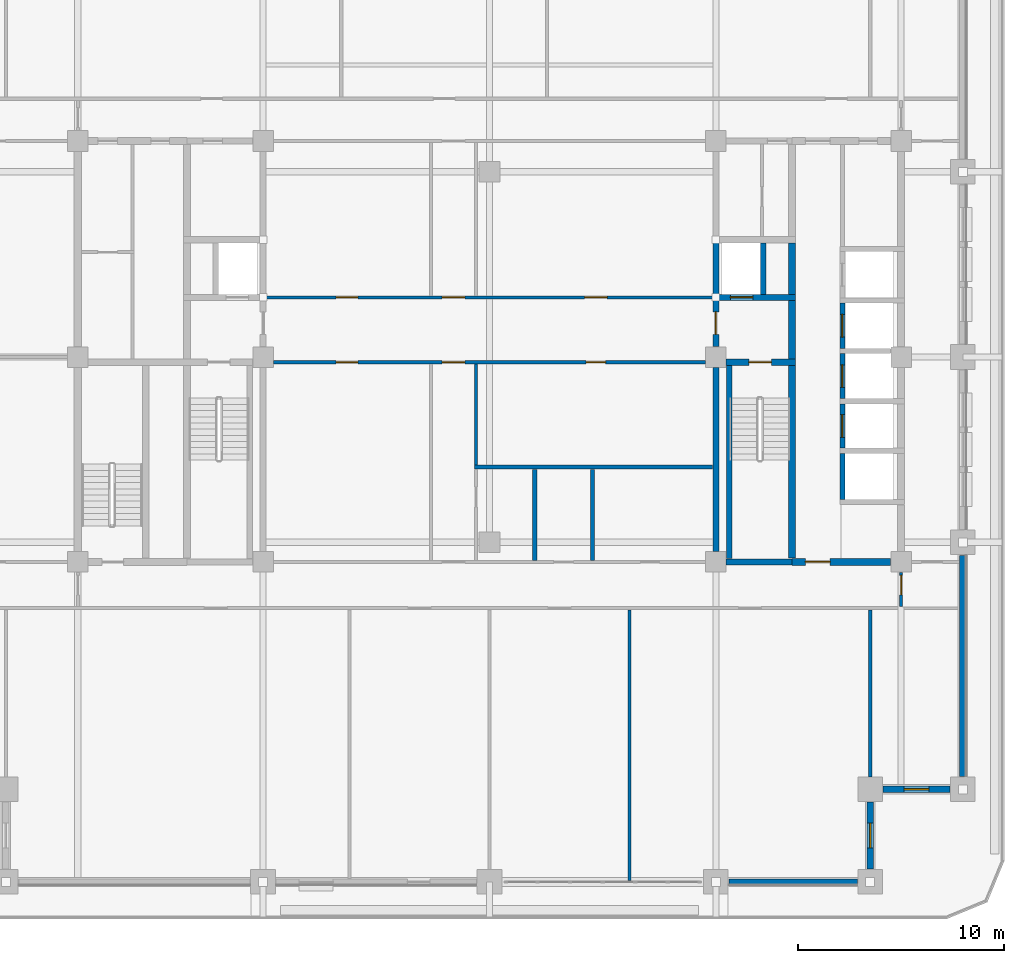
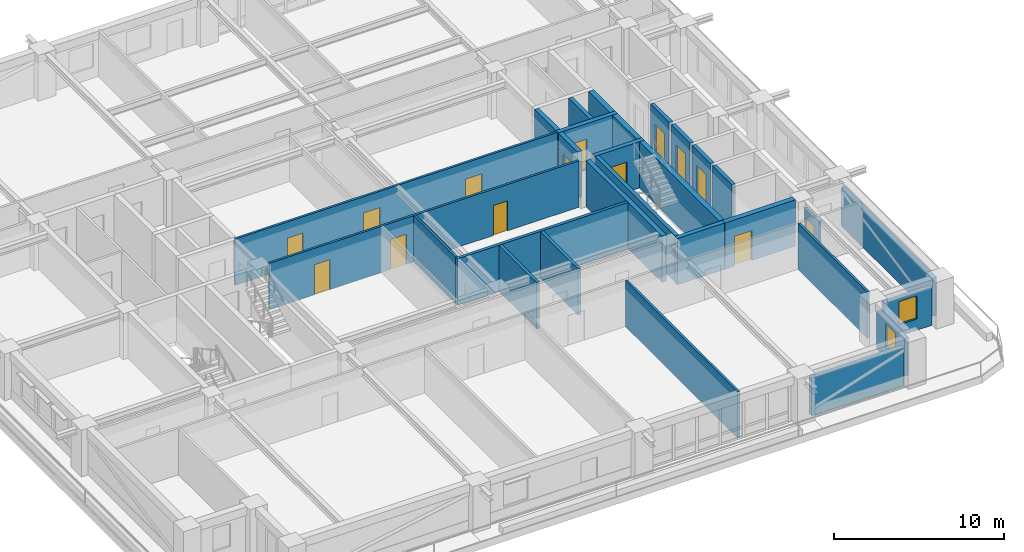
# One storey, part 9 of 20: 29 walls, 14 doors, 2 windows, 16 openings.
"""IFC4 building model written with IfcOpenShell, lengths in metres."""

from ifc_helpers import new_model, si_unit, direction, frame, frame_2d, origin, place, context, subcontext, project, spatial, rectangle, extrude, material, layer, layer_set, type_object, element, fill, save


model = new_model("IFC4")

# Units and contexts
model_context = context("Model", 3, precision=1e-05, world=origin(), true_north=direction((0.0, 1.0)))
body_context = subcontext(model_context, "Body", "Model", "MODEL_VIEW")
ifc_project = project(units=[si_unit("LENGTHUNIT", "METRE"), si_unit("AREAUNIT", "SQUARE_METRE"), si_unit("VOLUMEUNIT", "CUBIC_METRE"), si_unit("PLANEANGLEUNIT", "RADIAN"), si_unit("MASSUNIT", "GRAM", prefix="KILO")], contexts=[model_context])

# Site, building, storey
site_placement = place(None, origin())
site = spatial("IfcSite", under=ifc_project, at=site_placement, CompositionType="ELEMENT")
building_placement = place(site_placement, origin())
building = spatial("IfcBuilding", under=site, at=building_placement, Name="Zulmaris Gate Convention Tower", CompositionType="ELEMENT")
storey_placement = place(building_placement, frame((0.0, 0.0, 142.769775390625)))
storey = spatial("IfcBuildingStorey", under=building, at=storey_placement, Name="L36", CompositionType="ELEMENT", Elevation=142.769775390625)

# Walls
ifc_material_1 = material(Name="Concrete C50/60", Category="concrete")
ifc_layer_1 = layer(ifc_material_1, 0.25, Name="Concrete C50/60")
ifc_layer_set_1 = layer_set([ifc_layer_1], Name="Concrete C50/60")
wall_type_1 = type_object("IfcWallType", Name="CORE-250", PredefinedType="SOLIDWALL", material=ifc_layer_set_1)
wall_1_placement = place(storey_placement, frame((11.64990234375, -9.798095703125, 0.0), z_axis=(0.0, 0.0, 1.0), x_axis=(0.0, 1.0, 0.0)))
element("IfcWall", 1, at=wall_1_placement, inside=storey, type_object=wall_type_1, Name="WL-L36-051", PredefinedType="SOLIDWALL", context=body_context, shape_type="SweptSolid", body=[
    extrude(rectangle(XDim=9.39599609375, YDim=0.25, at=frame_2d((4.697998046875, 0.0))), origin(), (0.0, 0.0, 1.0), 3.320068359375),
])
wall_2_placement = place(storey_placement, frame((13.300048828125, 3.052001953125, 0.0), z_axis=(0.0, 0.0, 1.0), x_axis=(0.0, 1.0, 0.0)))
element("IfcWall", 2, at=wall_2_placement, inside=storey, type_object=wall_type_1, Name="WL-L36-052", PredefinedType="SOLIDWALL", context=body_context, shape_type="SweptSolid", body=[
    extrude(rectangle(XDim=2.49609375, YDim=0.25, at=frame_2d((1.248046875, 0.0))), origin(), (0.0, 0.0, 1.0), 3.320068359375),
])
wall_3_placement = place(storey_placement, frame((17.14990234375, -6.923095703125, 0.0), z_axis=(0.0, 0.0, 1.0), x_axis=(0.0, 1.0, 0.0)))
element("IfcWall", 3, at=wall_3_placement, inside=storey, type_object=wall_type_1, Name="WL-L36-057", PredefinedType="SOLIDWALL", context=body_context, shape_type="SweptSolid", body=[
    extrude(rectangle(XDim=2.24609375, YDim=0.25, at=frame_2d((1.123046875, 0.0))), origin(), (0.0, 0.0, 1.0), 3.320068359375),
])

# Wall, opening, door
wall_4_placement = place(storey_placement, frame((17.14990234375, -4.423095703125, 0.0), z_axis=(0.0, 0.0, 1.0), x_axis=(0.0, 1.0, 0.0)))
wall_4 = element("IfcWall", 4, at=wall_4_placement, inside=storey, type_object=wall_type_1, Name="WL-L36-058", PredefinedType="SOLIDWALL", context=body_context, shape_type="SweptSolid", body=[
    extrude(rectangle(XDim=2.14599609375, YDim=0.25, at=frame_2d((1.072998046875, 0.0))), origin(), (0.0, 0.0, 1.0), 3.320068359375),
])
opening_1_placement = place(wall_4_placement, frame((0.52294921875, 0.0, 0.0)))
opening_1 = element("IfcOpeningElement", 5, at=opening_1_placement, cuts=wall_4, Name="Opening D-06", PredefinedType="OPENING", context=body_context, shape_type="SweptSolid", body=[
    extrude(rectangle(XDim=1.10009765625, YDim=2.199951171875, at=frame_2d((0.550048828125, 1.10009765625))), frame((0.0, 0.135009765625, 0.0), z_axis=(0.0, -1.0, 0.0), x_axis=(1.0, 0.0, 0.0)), (0.0, 0.0, 1.0), 0.27001953125),
])
ifc_material_2 = material(Name="Brushed Stainless Steel", Category="steel")
door_type_1 = type_object("IfcDoorType", Name="LD-1100", OperationType="NOTDEFINED", PredefinedType="DOOR", material=ifc_material_2)
door_1_placement = place(opening_1_placement, origin())
door_1 = element("IfcDoor", 6, at=door_1_placement, inside=storey, type_object=door_type_1, Name="L36 Lift Landing Door MP-01 14", OperationType="SLIDING_TO_RIGHT", OverallHeight=2.199951171875, OverallWidth=1.10009765625, PredefinedType="DOOR", context=body_context, shape_type="SweptSolid", body=[
    extrude(rectangle(XDim=1.10009765625, YDim=2.199951171875, at=frame_2d((0.550048828125, 1.10009765625))), frame((0.0, 0.02490234375, 0.0), z_axis=(0.0, -1.0, 0.0), x_axis=(1.0, 0.0, 0.0)), (0.0, 0.0, 1.0), 0.050048828125),
])
fill(opening_1, door_1)

wall_5_placement = place(storey_placement, frame((17.14990234375, -2.02294921875, 0.0), z_axis=(0.0, 0.0, 1.0), x_axis=(0.0, 1.0, 0.0)))
wall_5 = element("IfcWall", 7, at=wall_5_placement, inside=storey, type_object=wall_type_1, Name="WL-L36-059", PredefinedType="SOLIDWALL", context=body_context, shape_type="SweptSolid", body=[
    extrude(rectangle(XDim=2.196044921875, YDim=0.25, at=frame_2d((1.09814453125, 0.0))), origin(), (0.0, 0.0, 1.0), 3.320068359375),
])
opening_2_placement = place(wall_5_placement, frame((0.548095703125, 0.0, 0.0)))
opening_2 = element("IfcOpeningElement", 8, at=opening_2_placement, cuts=wall_5, Name="Opening D-06", PredefinedType="OPENING", context=body_context, shape_type="SweptSolid", body=[
    extrude(rectangle(XDim=1.10009765625, YDim=2.199951171875, at=frame_2d((0.550048828125, 1.10009765625))), frame((0.0, 0.135009765625, 0.0), z_axis=(0.0, -1.0, 0.0), x_axis=(1.0, 0.0, 0.0)), (0.0, 0.0, 1.0), 0.27001953125),
])
door_2_placement = place(opening_2_placement, origin())
door_2 = element("IfcDoor", 9, at=door_2_placement, inside=storey, type_object=door_type_1, Name="L36 Lift Landing Door MP-02 15", OperationType="SLIDING_TO_RIGHT", OverallHeight=2.199951171875, OverallWidth=1.10009765625, PredefinedType="DOOR", context=body_context, shape_type="SweptSolid", body=[
    extrude(rectangle(XDim=1.10009765625, YDim=2.199951171875, at=frame_2d((0.550048828125, 1.10009765625))), frame((0.0, 0.02490234375, 0.0), z_axis=(0.0, -1.0, 0.0), x_axis=(1.0, 0.0, 0.0)), (0.0, 0.0, 1.0), 0.050048828125),
])
fill(opening_2, door_2)

wall_6_placement = place(storey_placement, frame((17.14990234375, 0.427001953125, 0.0), z_axis=(0.0, 0.0, 1.0), x_axis=(0.0, 1.0, 0.0)))
wall_6 = element("IfcWall", 10, at=wall_6_placement, inside=storey, type_object=wall_type_1, Name="WL-L36-060", PredefinedType="SOLIDWALL", context=body_context, shape_type="SweptSolid", body=[
    extrude(rectangle(XDim=2.196044921875, YDim=0.25, at=frame_2d((1.09814453125, 0.0))), origin(), (0.0, 0.0, 1.0), 3.320068359375),
])
opening_3_placement = place(wall_6_placement, frame((0.548095703125, 0.0, 0.0)))
opening_3 = element("IfcOpeningElement", 11, at=opening_3_placement, cuts=wall_6, Name="Opening D-06", PredefinedType="OPENING", context=body_context, shape_type="SweptSolid", body=[
    extrude(rectangle(XDim=1.10009765625, YDim=2.199951171875, at=frame_2d((0.550048828125, 1.10009765625))), frame((0.0, 0.135009765625, 0.0), z_axis=(0.0, -1.0, 0.0), x_axis=(1.0, 0.0, 0.0)), (0.0, 0.0, 1.0), 0.27001953125),
])
door_3_placement = place(opening_3_placement, origin())
door_3 = element("IfcDoor", 12, at=door_3_placement, inside=storey, type_object=door_type_1, Name="L36 Lift Landing Door MP-03 16", OperationType="SLIDING_TO_RIGHT", OverallHeight=2.199951171875, OverallWidth=1.10009765625, PredefinedType="DOOR", context=body_context, shape_type="SweptSolid", body=[
    extrude(rectangle(XDim=1.10009765625, YDim=2.199951171875, at=frame_2d((0.550048828125, 1.10009765625))), frame((0.0, 0.02490234375, 0.0), z_axis=(0.0, -1.0, 0.0), x_axis=(1.0, 0.0, 0.0)), (0.0, 0.0, 1.0), 0.050048828125),
])
fill(opening_3, door_3)

# Wall
ifc_layer_2 = layer(ifc_material_1, 0.300048828125, Name="Concrete C50/60")
ifc_layer_set_2 = layer_set([ifc_layer_2], Name="Concrete C50/60")
wall_type_2 = type_object("IfcWallType", Name="CORE-300", PredefinedType="SHEAR", material=ifc_layer_set_2)
wall_7_placement = place(storey_placement, frame((11.50390625, -9.949951171875, 0.0), z_axis=(0.0, 0.0, 1.0), x_axis=(1.0, 0.0, 0.0)))
element("IfcWall", 13, at=wall_7_placement, inside=storey, type_object=wall_type_2, Name="WL-L36-003", PredefinedType="SHEAR", context=body_context, shape_type="SweptSolid", body=[
    extrude(rectangle(XDim=3.196044921875, YDim=0.300048828125, at=frame_2d((1.59814453125, 0.0))), origin(), (0.0, 0.0, 1.0), 3.320068359375),
])

# Wall, opening, door
wall_8_placement = place(storey_placement, frame((11.50390625, -0.25, 0.0), z_axis=(0.0, 0.0, 1.0), x_axis=(1.0, 0.0, 0.0)))
wall_8 = element("IfcWall", 14, at=wall_8_placement, inside=storey, type_object=wall_type_2, Name="WL-L36-009", PredefinedType="SHEAR", context=body_context, shape_type="SweptSolid", body=[
    extrude(rectangle(XDim=3.37109375, YDim=0.300048828125, at=frame_2d((1.685546875, 0.0))), origin(), (0.0, 0.0, 1.0), 3.320068359375),
])
opening_4_placement = place(wall_8_placement, frame((1.095947265625, 0.0, 0.0)))
opening_4 = element("IfcOpeningElement", 15, at=opening_4_placement, cuts=wall_8, Name="Opening D-08", PredefinedType="OPENING", context=body_context, shape_type="SweptSolid", body=[
    extrude(rectangle(XDim=1.10009765625, YDim=2.14990234375, at=frame_2d((0.550048828125, 1.074951171875))), frame((0.0, 0.16015625, 0.0), z_axis=(0.0, -1.0, 0.0), x_axis=(1.0, 0.0, 0.0)), (0.0, 0.0, 1.0), 0.320068359375),
])
ifc_material_3 = material(Name="Fire-Rated Steel", Category="steel")
door_type_2 = type_object("IfcDoorType", Name="DR-1100-FD", OperationType="NOTDEFINED", PredefinedType="DOOR", material=ifc_material_3)
door_4_placement = place(opening_4_placement, origin())
door_4 = element("IfcDoor", 16, at=door_4_placement, inside=storey, type_object=door_type_2, Name="L36 Exit Stair ST-2 Door 04", OperationType="SINGLE_SWING_LEFT", OverallHeight=2.14990234375, OverallWidth=1.10009765625, PredefinedType="DOOR", context=body_context, shape_type="SweptSolid", body=[
    extrude(rectangle(XDim=1.10009765625, YDim=2.14990234375, at=frame_2d((0.550048828125, 1.074951171875))), frame((0.0, 0.02490234375, 0.0), z_axis=(0.0, -1.0, 0.0), x_axis=(1.0, 0.0, 0.0)), (0.0, 0.0, 1.0), 0.050048828125),
])
fill(opening_4, door_4)

wall_9_placement = place(storey_placement, frame((10.85009765625, 2.89990234375, 0.0), z_axis=(0.0, 0.0, 1.0), x_axis=(1.0, 0.0, 0.0)))
wall_9 = element("IfcWall", 17, at=wall_9_placement, inside=storey, type_object=wall_type_2, Name="WL-L36-013", PredefinedType="SHEAR", context=body_context, shape_type="SweptSolid", body=[
    extrude(rectangle(XDim=4.02490234375, YDim=0.300048828125, at=frame_2d((2.012451171875, 0.0))), origin(), (0.0, 0.0, 1.0), 3.320068359375),
])
opening_5_placement = place(wall_9_placement, frame((0.85009765625, 0.0, 0.0)))
opening_5 = element("IfcOpeningElement", 18, at=opening_5_placement, cuts=wall_9, Name="Opening D-06", PredefinedType="OPENING", context=body_context, shape_type="SweptSolid", body=[
    extrude(rectangle(XDim=1.10009765625, YDim=2.199951171875, at=frame_2d((0.550048828125, 1.10009765625))), frame((0.0, 0.16015625, 0.0), z_axis=(0.0, -1.0, 0.0), x_axis=(1.0, 0.0, 0.0)), (0.0, 0.0, 1.0), 0.320068359375),
])
door_5_placement = place(opening_5_placement, origin())
door_5 = element("IfcDoor", 19, at=door_5_placement, inside=storey, type_object=door_type_1, Name="L36 Lift Landing Door LF-02 06", OperationType="SLIDING_TO_RIGHT", OverallHeight=2.199951171875, OverallWidth=1.10009765625, PredefinedType="DOOR", context=body_context, shape_type="SweptSolid", body=[
    extrude(rectangle(XDim=1.10009765625, YDim=2.199951171875, at=frame_2d((0.550048828125, 1.10009765625))), frame((0.0, 0.02490234375, 0.0), z_axis=(0.0, -1.0, 0.0), x_axis=(1.0, 0.0, 0.0)), (0.0, 0.0, 1.0), 0.050048828125),
])
fill(opening_5, door_5)

# Wall
wall_10_placement = place(storey_placement, frame((11.0, -9.446044921875, 0.0), z_axis=(0.0, 0.0, 1.0), x_axis=(0.0, 1.0, 0.0)))
element("IfcWall", 20, at=wall_10_placement, inside=storey, type_object=wall_type_2, Name="WL-L36-047", PredefinedType="SHEAR", context=body_context, shape_type="SweptSolid", body=[
    extrude(rectangle(XDim=8.942138671875, YDim=0.300048828125, at=frame_2d((4.47119140625, 0.0))), origin(), (0.0, 0.0, 1.0), 3.320068359375),
])

# Wall, opening, door
wall_11_placement = place(storey_placement, frame((11.0, 0.50390625, 0.0), z_axis=(0.0, 0.0, 1.0), x_axis=(0.0, 1.0, 0.0)))
wall_11 = element("IfcWall", 21, at=wall_11_placement, inside=storey, type_object=wall_type_2, Name="WL-L36-048", PredefinedType="SHEAR", context=body_context, shape_type="SweptSolid", body=[
    extrude(rectangle(XDim=2.244140625, YDim=0.300048828125, at=frame_2d((1.1220703125, 0.0))), origin(), (0.0, 0.0, 1.0), 3.320068359375),
])
opening_6_placement = place(wall_11_placement, frame((0.595947265625, 0.0, 0.0)))
opening_6 = element("IfcOpeningElement", 22, at=opening_6_placement, cuts=wall_11, Name="Opening D-08", PredefinedType="OPENING", context=body_context, shape_type="SweptSolid", body=[
    extrude(rectangle(XDim=1.10009765625, YDim=2.14990234375, at=frame_2d((0.550048828125, 1.074951171875))), frame((0.0, 0.16015625, 0.0), z_axis=(0.0, -1.0, 0.0), x_axis=(1.0, 0.0, 0.0)), (0.0, 0.0, 1.0), 0.320068359375),
])
door_6_placement = place(opening_6_placement, origin())
door_6 = element("IfcDoor", 23, at=door_6_placement, inside=storey, type_object=door_type_2, Name="L36 East Firefighting Lobby Door 05", OperationType="SINGLE_SWING_RIGHT", OverallHeight=2.14990234375, OverallWidth=1.10009765625, PredefinedType="DOOR", context=body_context, shape_type="SweptSolid", body=[
    extrude(rectangle(XDim=1.10009765625, YDim=2.14990234375, at=frame_2d((0.550048828125, 1.074951171875))), frame((0.0, 0.02490234375, 0.0), z_axis=(0.0, -1.0, 0.0), x_axis=(1.0, 0.0, 0.0)), (0.0, 0.0, 1.0), 0.050048828125),
])
fill(opening_6, door_6)

# Wall
wall_12_placement = place(storey_placement, frame((11.0, 3.052001953125, 0.0), z_axis=(0.0, 0.0, 1.0), x_axis=(0.0, 1.0, 0.0)))
element("IfcWall", 24, at=wall_12_placement, inside=storey, type_object=wall_type_2, Name="WL-L36-049", PredefinedType="SHEAR", context=body_context, shape_type="SweptSolid", body=[
    extrude(rectangle(XDim=2.49609375, YDim=0.300048828125, at=frame_2d((1.248046875, 0.0))), origin(), (0.0, 0.0, 1.0), 3.320068359375),
])

# Wall, opening, door
ifc_material_4 = material(Name="Concrete C55/67", Category="concrete")
ifc_layer_3 = layer(ifc_material_4, 0.35009765625, Name="Concrete C55/67")
ifc_layer_set_3 = layer_set([ifc_layer_3], Name="Concrete C55/67")
wall_type_3 = type_object("IfcWallType", Name="CORE-350", PredefinedType="SHEAR", material=ifc_layer_set_3)
wall_13_placement = place(storey_placement, frame((14.699951171875, -9.949951171875, 0.0), z_axis=(0.0, 0.0, 1.0), x_axis=(1.0, 0.0, 0.0)))
wall_13 = element("IfcWall", 25, at=wall_13_placement, inside=storey, type_object=wall_type_3, Name="WL-L36-004", PredefinedType="SHEAR", context=body_context, shape_type="SweptSolid", body=[
    extrude(rectangle(XDim=4.796142578125, YDim=0.35009765625, at=frame_2d((2.39794921875, 0.0))), origin(), (0.0, 0.0, 1.0), 3.320068359375),
])
opening_7_placement = place(wall_13_placement, frame((0.64990234375, 0.0, 0.0)))
opening_7 = element("IfcOpeningElement", 26, at=opening_7_placement, cuts=wall_13, Name="Opening D-13", PredefinedType="OPENING", context=body_context, shape_type="SweptSolid", body=[
    extrude(rectangle(XDim=1.199951171875, YDim=2.14990234375, at=frame_2d((0.60009765625, 1.074951171875))), frame((0.0, 0.18505859375, 0.0), z_axis=(0.0, -1.0, 0.0), x_axis=(1.0, 0.0, 0.0)), (0.0, 0.0, 1.0), 0.3701171875),
])
door_type_3 = type_object("IfcDoorType", Name="DR-1200-FD", OperationType="NOTDEFINED", PredefinedType="DOOR", material=ifc_material_3)
door_7_placement = place(opening_7_placement, origin())
door_7 = element("IfcDoor", 27, at=door_7_placement, inside=storey, type_object=door_type_3, Name="L36 East Lift Lobby South Door 18", OperationType="SINGLE_SWING_RIGHT", OverallHeight=2.14990234375, OverallWidth=1.199951171875, PredefinedType="DOOR", context=body_context, shape_type="SweptSolid", body=[
    extrude(rectangle(XDim=1.199951171875, YDim=2.14990234375, at=frame_2d((0.60009765625, 1.074951171875))), frame((0.0, 0.02490234375, 0.0), z_axis=(0.0, -1.0, 0.0), x_axis=(1.0, 0.0, 0.0)), (0.0, 0.0, 1.0), 0.050048828125),
])
fill(opening_7, door_7)

# Walls
wall_14_placement = place(storey_placement, frame((14.699951171875, -9.77294921875, 0.0), z_axis=(0.0, 0.0, 1.0), x_axis=(0.0, 1.0, 0.0)))
element("IfcWall", 28, at=wall_14_placement, inside=storey, type_object=wall_type_3, Name="WL-L36-053", PredefinedType="SHEAR", context=body_context, shape_type="SweptSolid", body=[
    extrude(rectangle(XDim=9.370849609375, YDim=0.35009765625, at=frame_2d((4.685546875, 0.0))), origin(), (0.0, 0.0, 1.0), 3.320068359375),
])
wall_15_placement = place(storey_placement, frame((14.699951171875, -0.097900390625, 0.0), z_axis=(0.0, 0.0, 1.0), x_axis=(0.0, 1.0, 0.0)))
element("IfcWall", 29, at=wall_15_placement, inside=storey, type_object=wall_type_3, Name="WL-L36-054", PredefinedType="SHEAR", context=body_context, shape_type="SweptSolid", body=[
    extrude(rectangle(XDim=2.845947265625, YDim=0.35009765625, at=frame_2d((1.4228515625, 0.0))), origin(), (0.0, 0.0, 1.0), 3.320068359375),
])
wall_16_placement = place(storey_placement, frame((14.699951171875, 3.052001953125, 0.0), z_axis=(0.0, 0.0, 1.0), x_axis=(0.0, 1.0, 0.0)))
element("IfcWall", 30, at=wall_16_placement, inside=storey, type_object=wall_type_3, Name="WL-L36-055", PredefinedType="SHEAR", context=body_context, shape_type="SweptSolid", body=[
    extrude(rectangle(XDim=2.49609375, YDim=0.35009765625, at=frame_2d((1.248046875, 0.0))), origin(), (0.0, 0.0, 1.0), 3.320068359375),
])

# Wall, openings, doors
ifc_material_5 = material(Name="Gypsum Metal Stud Partition")
ifc_layer_4 = layer(ifc_material_5, 0.14990234375, Name="Gypsum Metal Stud Partition")
ifc_layer_set_4 = layer_set([ifc_layer_4], Name="Gypsum Metal Stud Partition")
wall_type_4 = type_object("IfcWallType", Name="PART-150", PredefinedType="PARTITIONING", material=ifc_layer_set_4)
wall_17_placement = place(storey_placement, frame((-10.493896484375, -0.25, 0.0), z_axis=(0.0, 0.0, 1.0), x_axis=(1.0, 0.0, 0.0)))
wall_17 = element("IfcWall", 31, at=wall_17_placement, inside=storey, type_object=wall_type_4, Name="WL-L36-026", PredefinedType="PARTITIONING", context=body_context, shape_type="SweptSolid", body=[
    extrude(rectangle(XDim=20.98779296875, YDim=0.14990234375, at=frame_2d((10.493896484375, 0.0))), origin(), (0.0, 0.0, 1.0), 3.320068359375),
])
opening_8_placement = place(wall_17_placement, frame((8.194091796875, 0.0, 0.0)))
opening_8 = element("IfcOpeningElement", 32, at=opening_8_placement, cuts=wall_17, Name="Opening D-08", PredefinedType="OPENING", context=body_context, shape_type="SweptSolid", body=[
    extrude(rectangle(XDim=1.10009765625, YDim=2.14990234375, at=frame_2d((0.550048828125, 1.074951171875))), frame((0.0, 0.0849609375, 0.0), z_axis=(0.0, -1.0, 0.0), x_axis=(1.0, 0.0, 0.0)), (0.0, 0.0, 1.0), 0.169921875),
])
opening_9_placement = place(wall_17_placement, frame((3.049072265625, 0.0, 0.0)))
opening_9 = element("IfcOpeningElement", 33, at=opening_9_placement, cuts=wall_17, Name="Opening D-09", PredefinedType="OPENING", context=body_context, shape_type="SweptSolid", body=[
    extrude(rectangle(XDim=1.050048828125, YDim=2.14990234375, at=frame_2d((0.52490234375, 1.074951171875))), frame((0.0, 0.0849609375, 0.0), z_axis=(0.0, -1.0, 0.0), x_axis=(1.0, 0.0, 0.0)), (0.0, 0.0, 1.0), 0.169921875),
])
opening_10_placement = place(wall_17_placement, frame((15.18896484375, 0.0, 0.0)))
opening_10 = element("IfcOpeningElement", 34, at=opening_10_placement, cuts=wall_17, Name="Opening D-11", PredefinedType="OPENING", context=body_context, shape_type="SweptSolid", body=[
    extrude(rectangle(XDim=0.949951171875, YDim=2.14990234375, at=frame_2d((0.47509765625, 1.074951171875))), frame((0.0, 0.0849609375, 0.0), z_axis=(0.0, -1.0, 0.0), x_axis=(1.0, 0.0, 0.0)), (0.0, 0.0, 1.0), 0.169921875),
])
door_type_4 = type_object("IfcDoorType", Name="DR-1050-FD", OperationType="NOTDEFINED", PredefinedType="DOOR", material=ifc_material_3)
door_8_placement = place(opening_9_placement, origin())
door_8 = element("IfcDoor", 35, at=door_8_placement, inside=storey, type_object=door_type_4, Name="L36 Sky Library Door 34", OperationType="SINGLE_SWING_RIGHT", OverallHeight=2.14990234375, OverallWidth=1.050048828125, PredefinedType="DOOR", context=body_context, shape_type="SweptSolid", body=[
    extrude(rectangle(XDim=1.050048828125, YDim=2.14990234375, at=frame_2d((0.52490234375, 1.074951171875))), frame((0.0, 0.02490234375, 0.0), z_axis=(0.0, -1.0, 0.0), x_axis=(1.0, 0.0, 0.0)), (0.0, 0.0, 1.0), 0.050048828125),
])
fill(opening_9, door_8)
door_9_placement = place(opening_8_placement, origin())
door_9 = element("IfcDoor", 36, at=door_9_placement, inside=storey, type_object=door_type_2, Name="L36 Cross Spine South Door 24", OperationType="SINGLE_SWING_RIGHT", OverallHeight=2.14990234375, OverallWidth=1.10009765625, PredefinedType="DOOR", context=body_context, shape_type="SweptSolid", body=[
    extrude(rectangle(XDim=1.10009765625, YDim=2.14990234375, at=frame_2d((0.550048828125, 1.074951171875))), frame((0.0, 0.02490234375, 0.0), z_axis=(0.0, -1.0, 0.0), x_axis=(1.0, 0.0, 0.0)), (0.0, 0.0, 1.0), 0.050048828125),
])
fill(opening_8, door_9)
ifc_material_6 = material(Name="Fire-Rated Timber", Category="wood")
door_type_5 = type_object("IfcDoorType", Name="DR-950-FD", OperationType="NOTDEFINED", PredefinedType="DOOR", material=ifc_material_6)
door_10_placement = place(opening_10_placement, origin())
door_10 = element("IfcDoor", 37, at=door_10_placement, inside=storey, type_object=door_type_5, Name="L36 Public WC Door 35", OperationType="SINGLE_SWING_LEFT", OverallHeight=2.14990234375, OverallWidth=0.949951171875, PredefinedType="DOOR", context=body_context, shape_type="SweptSolid", body=[
    extrude(rectangle(XDim=0.949951171875, YDim=2.14990234375, at=frame_2d((0.47509765625, 1.074951171875))), frame((0.0, 0.02490234375, 0.0), z_axis=(0.0, -1.0, 0.0), x_axis=(1.0, 0.0, 0.0)), (0.0, 0.0, 1.0), 0.050048828125),
])
fill(opening_10, door_10)

wall_18_placement = place(storey_placement, frame((-11.0, 2.89990234375, 0.0), z_axis=(0.0, 0.0, 1.0), x_axis=(1.0, 0.0, 0.0)))
wall_18 = element("IfcWall", 38, at=wall_18_placement, inside=storey, type_object=wall_type_4, Name="WL-L36-028", PredefinedType="PARTITIONING", context=body_context, shape_type="SweptSolid", body=[
    extrude(rectangle(XDim=22.0, YDim=0.14990234375, at=frame_2d((11.0, 0.0))), origin(), (0.0, 0.0, 1.0), 3.320068359375),
])
opening_11_placement = place(wall_18_placement, frame((8.699951171875, 0.0, 0.0)))
opening_11 = element("IfcOpeningElement", 39, at=opening_11_placement, cuts=wall_18, Name="Opening D-08", PredefinedType="OPENING", context=body_context, shape_type="SweptSolid", body=[
    extrude(rectangle(XDim=1.10009765625, YDim=2.14990234375, at=frame_2d((0.550048828125, 1.074951171875))), frame((0.0, 0.0849609375, 0.0), z_axis=(0.0, -1.0, 0.0), x_axis=(1.0, 0.0, 0.0)), (0.0, 0.0, 1.0), 0.169921875),
])
opening_12_placement = place(wall_18_placement, frame((3.554931640625, 0.0, 0.0)))
opening_12 = element("IfcOpeningElement", 40, at=opening_12_placement, cuts=wall_18, Name="Opening D-09", PredefinedType="OPENING", context=body_context, shape_type="SweptSolid", body=[
    extrude(rectangle(XDim=1.050048828125, YDim=2.14990234375, at=frame_2d((0.52490234375, 1.074951171875))), frame((0.0, 0.0849609375, 0.0), z_axis=(0.0, -1.0, 0.0), x_axis=(1.0, 0.0, 0.0)), (0.0, 0.0, 1.0), 0.169921875),
])
opening_13_placement = place(wall_18_placement, frame((15.6201171875, 0.0, 0.0)))
opening_13 = element("IfcOpeningElement", 41, at=opening_13_placement, cuts=wall_18, Name="Opening D-08", PredefinedType="OPENING", context=body_context, shape_type="SweptSolid", body=[
    extrude(rectangle(XDim=1.10009765625, YDim=2.14990234375, at=frame_2d((0.550048828125, 1.074951171875))), frame((0.0, 0.0849609375, 0.0), z_axis=(0.0, -1.0, 0.0), x_axis=(1.0, 0.0, 0.0)), (0.0, 0.0, 1.0), 0.169921875),
])
door_11_placement = place(opening_12_placement, origin())
door_11 = element("IfcDoor", 42, at=door_11_placement, inside=storey, type_object=door_type_4, Name="L36 Reception Door 32", OperationType="SINGLE_SWING_RIGHT", OverallHeight=2.14990234375, OverallWidth=1.050048828125, PredefinedType="DOOR", context=body_context, shape_type="SweptSolid", body=[
    extrude(rectangle(XDim=1.050048828125, YDim=2.14990234375, at=frame_2d((0.52490234375, 1.074951171875))), frame((0.0, 0.02490234375, 0.0), z_axis=(0.0, -1.0, 0.0), x_axis=(1.0, 0.0, 0.0)), (0.0, 0.0, 1.0), 0.050048828125),
])
fill(opening_12, door_11)
door_12_placement = place(opening_11_placement, origin())
door_12 = element("IfcDoor", 43, at=door_12_placement, inside=storey, type_object=door_type_2, Name="L36 Cross Spine North Door 23", OperationType="SINGLE_SWING_LEFT", OverallHeight=2.14990234375, OverallWidth=1.10009765625, PredefinedType="DOOR", context=body_context, shape_type="SweptSolid", body=[
    extrude(rectangle(XDim=1.10009765625, YDim=2.14990234375, at=frame_2d((0.550048828125, 1.074951171875))), frame((0.0, 0.02490234375, 0.0), z_axis=(0.0, -1.0, 0.0), x_axis=(1.0, 0.0, 0.0)), (0.0, 0.0, 1.0), 0.050048828125),
])
fill(opening_11, door_12)
door_13_placement = place(opening_13_placement, origin())
door_13 = element("IfcDoor", 44, at=door_13_placement, inside=storey, type_object=door_type_2, Name="L36 Townhall Forum Door 33", OperationType="SINGLE_SWING_LEFT", OverallHeight=2.14990234375, OverallWidth=1.10009765625, PredefinedType="DOOR", context=body_context, shape_type="SweptSolid", body=[
    extrude(rectangle(XDim=1.10009765625, YDim=2.14990234375, at=frame_2d((0.550048828125, 1.074951171875))), frame((0.0, 0.02490234375, 0.0), z_axis=(0.0, -1.0, 0.0), x_axis=(1.0, 0.0, 0.0)), (0.0, 0.0, 1.0), 0.050048828125),
])
fill(opening_13, door_13)

# Walls
wall_19_placement = place(storey_placement, frame((-0.64990234375, -5.2470703125, 0.0), z_axis=(0.0, 0.0, 1.0), x_axis=(0.0, 1.0, 0.0)))
element("IfcWall", 45, at=wall_19_placement, inside=storey, type_object=wall_type_4, Name="WL-L36-080", PredefinedType="PARTITIONING", context=body_context, shape_type="SweptSolid", body=[
    extrude(rectangle(XDim=4.919189453125, YDim=0.14990234375, at=frame_2d((2.45947265625, 0.0))), origin(), (0.0, 0.0, 1.0), 3.320068359375),
])
wall_20_placement = place(storey_placement, frame((6.800048828125, -25.43994140625, 0.0), z_axis=(0.0, 0.0, 1.0), x_axis=(0.0, 1.0, 0.0)))
element("IfcWall", 46, at=wall_20_placement, inside=storey, type_object=wall_type_4, Name="WL-L36-086", PredefinedType="PARTITIONING", context=body_context, shape_type="SweptSolid", body=[
    extrude(rectangle(XDim=13.161865234375, YDim=0.14990234375, at=frame_2d((6.5810546875, 0.0))), origin(), (0.0, 0.0, 1.0), 3.320068359375),
])
wall_21_placement = place(storey_placement, frame((18.5, -20.39404296875, 0.0), z_axis=(0.0, 0.0, 1.0), x_axis=(0.0, 1.0, 0.0)))
element("IfcWall", 47, at=wall_21_placement, inside=storey, type_object=wall_type_4, Name="WL-L36-089", PredefinedType="PARTITIONING", context=body_context, shape_type="SweptSolid", body=[
    extrude(rectangle(XDim=8.115966796875, YDim=0.14990234375, at=frame_2d((4.05810546875, 0.0))), origin(), (0.0, 0.0, 1.0), 3.320068359375),
])

# Wall, opening, door
wall_22_placement = place(storey_placement, frame((20.0, -12.1220703125, 0.0), z_axis=(0.0, 0.0, 1.0), x_axis=(0.0, 1.0, 0.0)))
wall_22 = element("IfcWall", 48, at=wall_22_placement, inside=storey, type_object=wall_type_4, Name="WL-L36-091", PredefinedType="PARTITIONING", context=body_context, shape_type="SweptSolid", body=[
    extrude(rectangle(XDim=1.666015625, YDim=0.14990234375, at=frame_2d((0.8330078125, 0.0))), origin(), (0.0, 0.0, 1.0), 2.81005859375),
])
opening_14_placement = place(wall_22_placement, frame((0.56591796875, 0.0, 0.0)))
opening_14 = element("IfcOpeningElement", 49, at=opening_14_placement, cuts=wall_22, Name="Opening D-11", PredefinedType="OPENING", context=body_context, shape_type="SweptSolid", body=[
    extrude(rectangle(XDim=0.949951171875, YDim=2.14990234375, at=frame_2d((0.47509765625, 1.074951171875))), frame((0.0, 0.0849609375, 0.0), z_axis=(0.0, -1.0, 0.0), x_axis=(1.0, 0.0, 0.0)), (0.0, 0.0, 1.0), 0.169921875),
])
door_14_placement = place(opening_14_placement, origin())
door_14 = element("IfcDoor", 50, at=door_14_placement, inside=storey, type_object=door_type_5, Name="L36 SE Spur Door 44", OperationType="SINGLE_SWING_RIGHT", OverallHeight=2.14990234375, OverallWidth=0.949951171875, PredefinedType="DOOR", context=body_context, shape_type="SweptSolid", body=[
    extrude(rectangle(XDim=0.949951171875, YDim=2.14990234375, at=frame_2d((0.47509765625, 1.074951171875))), frame((0.0, 0.02490234375, 0.0), z_axis=(0.0, -1.0, 0.0), x_axis=(1.0, 0.0, 0.0)), (0.0, 0.0, 1.0), 0.050048828125),
])
fill(opening_14, door_14)

# Walls
ifc_material_7 = material(Name="Autoclaved Aerated Concrete Block and Plasterboard", Category="concrete")
ifc_layer_5 = layer(ifc_material_7, 0.199951171875, Name="Autoclaved Aerated Concrete Block and Plasterboard")
ifc_layer_set_5 = layer_set([ifc_layer_5], Name="Autoclaved Aerated Concrete Block and Plasterboard")
wall_type_5 = type_object("IfcWallType", Name="PART-200", PredefinedType="PARTITIONING", material=ifc_layer_set_5)
wall_23_placement = place(storey_placement, frame((-0.72509765625, -5.35009765625, 0.0), z_axis=(0.0, 0.0, 1.0), x_axis=(1.0, 0.0, 0.0)))
element("IfcWall", 51, at=wall_23_placement, inside=storey, type_object=wall_type_5, Name="WL-L36-025", PredefinedType="PARTITIONING", context=body_context, shape_type="SweptSolid", body=[
    extrude(rectangle(XDim=11.572021484375, YDim=0.199951171875, at=frame_2d((5.7861328125, 0.0))), origin(), (0.0, 0.0, 1.0), 3.320068359375),
])
for number, where, z_axis, x_axis, name in (
    (52, (2.199951171875, -9.8720703125, 0.0), (0.0, 0.0, 1.0), (0.0, 1.0, 0.0), "WL-L36-083"),
    (53, (5.0, -9.8720703125, 0.0), (0.0, 0.0, 1.0), (0.0, 1.0, 0.0), "WL-L36-085"),
):
    element("IfcWall", number, at=place(storey_placement, frame(where, z_axis=z_axis, x_axis=x_axis)), inside=storey, type_object=wall_type_5, Name=name, PredefinedType="PARTITIONING", context=body_context, shape_type="SweptSolid", body=[
        extrude(rectangle(XDim=4.419189453125, YDim=0.199951171875, at=frame_2d((2.20947265625, 0.0))), origin(), (0.0, 0.0, 1.0), 3.320068359375),
    ])

# Wall, opening, window
ifc_material_8 = material(Name="Precast concrete C40/50", Category="concrete")
ifc_layer_6 = layer(ifc_material_8, 0.300048828125, Name="Precast concrete C40/50")
ifc_layer_set_6 = layer_set([ifc_layer_6], Name="Precast concrete C40/50")
wall_type_6 = type_object("IfcWallType", Name="PRECAST-PIER-300", PredefinedType="STANDARD", material=ifc_layer_set_6)
wall_24_placement = place(storey_placement, frame((18.5, -24.8701171875, 0.0), z_axis=(0.0, 0.0, 1.0), x_axis=(0.0, 1.0, 0.0)))
wall_24 = element("IfcWall", 54, at=wall_24_placement, inside=storey, type_object=wall_type_6, Name="EW-L36-NOTCH-SE1_0", PredefinedType="STANDARD", context=body_context, shape_type="SweptSolid", body=[
    extrude(rectangle(XDim=3.240234375, YDim=0.300048828125, at=frame_2d((1.6201171875, 0.0))), origin(), (0.0, 0.0, 1.0), 2.7119140625),
])
opening_15_placement = place(wall_24_placement, frame((1.02001953125, 0.0, 0.820068359375)))
opening_15 = element("IfcOpeningElement", 55, at=opening_15_placement, cuts=wall_24, Name="Opening W-04", PredefinedType="OPENING", context=body_context, shape_type="SweptSolid", body=[
    extrude(rectangle(XDim=1.199951171875, YDim=1.64990234375, at=frame_2d((0.60009765625, 0.824951171875))), frame((0.0, 0.16015625, 0.0), z_axis=(0.0, -1.0, 0.0), x_axis=(1.0, 0.0, 0.0)), (0.0, 0.0, 1.0), 0.320068359375),
])
ifc_material_9 = material(Name="Low-E Laminated Double Glazing in Aluminium Frame", Category="aluminium")
window_type = type_object("IfcWindowType", Name="WIN-1200x2100", PartitioningType="SINGLE_PANEL", PredefinedType="WINDOW", material=ifc_material_9)
window_1_placement = place(opening_15_placement, origin())
window_1 = element("IfcWindow", 56, at=window_1_placement, inside=storey, type_object=window_type, Name="WN-EW-L36-NOTCH-SE1_0", OverallHeight=1.64990234375, OverallWidth=1.199951171875, PartitioningType="SINGLE_PANEL", PredefinedType="WINDOW", context=body_context, shape_type="SweptSolid", body=[
    extrude(rectangle(XDim=1.199951171875, YDim=1.64990234375, at=frame_2d((0.60009765625, 0.824951171875))), frame((0.0, 0.030029296875, 0.0), z_axis=(0.0, -1.0, 0.0), x_axis=(1.0, 0.0, 0.0)), (0.0, 0.0, 1.0), 0.06005859375),
])
fill(opening_15, window_1)

wall_25_placement = place(storey_placement, frame((19.1298828125, -21.0, 0.0), z_axis=(0.0, 0.0, 1.0), x_axis=(1.0, 0.0, 0.0)))
wall_25 = element("IfcWall", 57, at=wall_25_placement, inside=storey, type_object=wall_type_6, Name="EW-L36-NOTCH-SE2_0", PredefinedType="STANDARD", context=body_context, shape_type="SweptSolid", body=[
    extrude(rectangle(XDim=3.240234375, YDim=0.300048828125, at=frame_2d((1.6201171875, 0.0))), origin(), (0.0, 0.0, 1.0), 2.7119140625),
])
opening_16_placement = place(wall_25_placement, frame((1.02001953125, 0.0, 0.820068359375)))
opening_16 = element("IfcOpeningElement", 58, at=opening_16_placement, cuts=wall_25, Name="Opening W-04", PredefinedType="OPENING", context=body_context, shape_type="SweptSolid", body=[
    extrude(rectangle(XDim=1.199951171875, YDim=1.64990234375, at=frame_2d((0.60009765625, 0.824951171875))), frame((0.0, 0.16015625, 0.0), z_axis=(0.0, -1.0, 0.0), x_axis=(1.0, 0.0, 0.0)), (0.0, 0.0, 1.0), 0.320068359375),
])
window_2_placement = place(opening_16_placement, origin())
window_2 = element("IfcWindow", 59, at=window_2_placement, inside=storey, type_object=window_type, Name="WN-EW-L36-NOTCH-SE2_0", OverallHeight=1.64990234375, OverallWidth=1.199951171875, PartitioningType="SINGLE_PANEL", PredefinedType="WINDOW", context=body_context, shape_type="SweptSolid", body=[
    extrude(rectangle(XDim=1.199951171875, YDim=1.64990234375, at=frame_2d((0.60009765625, 0.824951171875))), frame((0.0, 0.030029296875, 0.0), z_axis=(0.0, -1.0, 0.0), x_axis=(1.0, 0.0, 0.0)), (0.0, 0.0, 1.0), 0.06005859375),
])
fill(opening_16, window_2)

# Walls
wall_26_placement = place(storey_placement, frame((11.6298828125, -25.5, 0.0), z_axis=(0.0, 0.0, 1.0), x_axis=(1.0, 0.0, 0.0)))
element("IfcWall", 60, at=wall_26_placement, inside=storey, type_object=wall_type_6, Name="EW-L36-S-3_0", PredefinedType="STANDARD", context=body_context, shape_type="SweptSolid", body=[
    extrude(rectangle(XDim=6.240234375, YDim=0.300048828125, at=frame_2d((3.1201171875, 0.0))), origin(), (0.0, 0.0, 1.0), 2.7119140625),
])
wall_27_placement = place(storey_placement, frame((23.0, -20.3701171875, 0.0), z_axis=(0.0, 0.0, 1.0), x_axis=(0.0, 1.0, 0.0)))
element("IfcWall", 61, at=wall_27_placement, inside=storey, type_object=wall_type_6, Name="EW-L36-E-0_0", PredefinedType="STANDARD", context=body_context, shape_type="SweptSolid", body=[
    extrude(rectangle(XDim=10.740234375, YDim=0.300048828125, at=frame_2d((5.3701171875, 0.0))), origin(), (0.0, 0.0, 1.0), 2.7119140625),
])

save(model, "model.ifc")
